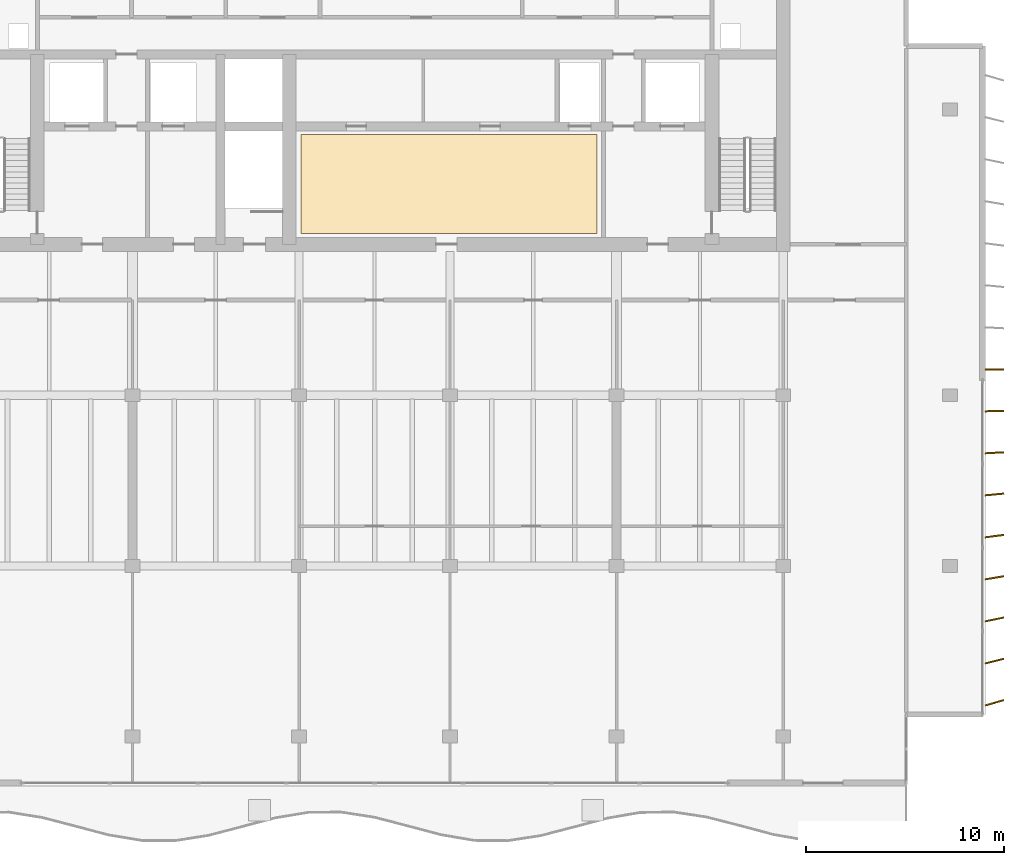
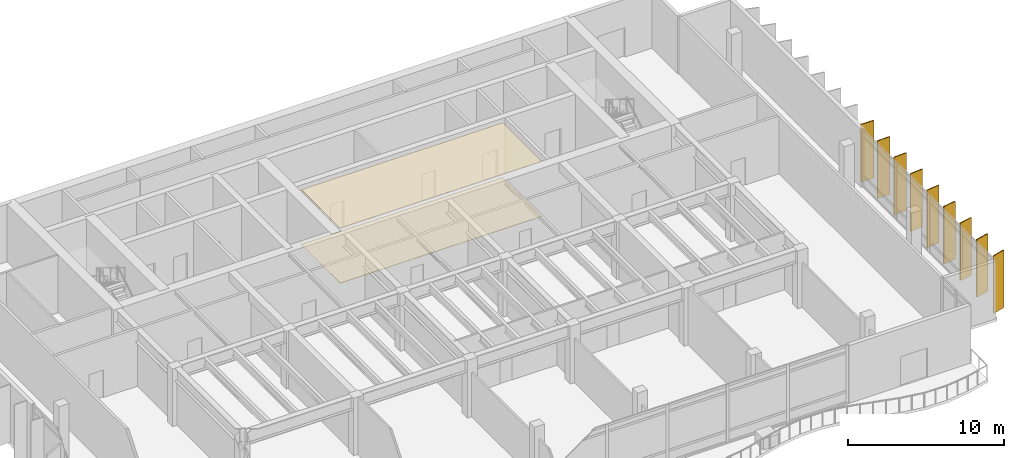
# One storey, part 11 of 14: 9 shading devices, 2 coverings.
"""IFC4 building model written with IfcOpenShell, lengths in metres."""

import ifcopenshell
import ifcopenshell.guid

model = None  # the IFC model being written
_history = None  # IfcOwnerHistory: only IFC2X3 demands one
_inside = {}  # id of a spatial element -> (the spatial element, [elements in it])
_under = {}  # id of a project, library or spatial element -> (it, [spatial elements below it])
_declared = {}  # id of a project -> (the project, [libraries it declares])
_typed = {}  # id of a type object -> (the type object, [elements of that type])
_made_of = {}  # id of a material, layer set ... -> (it, [elements and type objects made of it])


def new_model(schema):
    """Start an empty IFC model of exactly this schema.

    Asked for "IFC4X3", IfcOpenShell would pick the latest addendum, in which some entities
    have other attributes; the version numbers below select the first issue.
    IFC2X3 requires an IfcOwnerHistory on every rooted entity: one is made here for all.
    """
    global model, _history
    if schema == "IFC4X3":
        model = ifcopenshell.file(schema_version=(4, 3, 0, 0))
    else:
        model = ifcopenshell.file(schema=schema)
    _inside.clear()
    _under.clear()
    _declared.clear()
    _typed.clear()
    _made_of.clear()
    _history = None
    if model.schema == "IFC2X3":
        org = make("IfcOrganization", Name="unknown")
        user = make(
            "IfcPersonAndOrganization",
            ThePerson=make("IfcPerson", FamilyName="unknown"),
            TheOrganization=org,
        )
        app = make(
            "IfcApplication",
            ApplicationDeveloper=org,
            Version="unknown",
            ApplicationFullName="unknown",
            ApplicationIdentifier="unknown",
        )
        _history = make(
            "IfcOwnerHistory",
            OwningUser=user,
            OwningApplication=app,
            ChangeAction="ADDED",
            CreationDate=0,
        )
    return model


def make(cls, **values):
    """One entity of the class cls with the attributes given. An attribute that is None is left unset."""
    return model.create_entity(
        cls, **{name: value for name, value in values.items() if value is not None}
    )


def rooted(cls, **values):
    """An entity with a GlobalId (a new one), such as an element, a storey or a relation."""
    return make(cls, GlobalId=ifcopenshell.guid.new(), OwnerHistory=_history, **values)


def si_unit(unit_type, name, prefix=None):
    """IfcSIUnit, for example si_unit("LENGTHUNIT", "METRE", prefix="MILLI")."""
    return make("IfcSIUnit", UnitType=unit_type, Prefix=prefix, Name=name)


def assignment(units):
    """IfcUnitAssignment: the units of a project."""
    return None if units is None else make("IfcUnitAssignment", Units=units)


def point(xyz):
    """IfcCartesianPoint."""
    return None if xyz is None else make("IfcCartesianPoint", Coordinates=xyz)


def direction(xyz):
    """IfcDirection."""
    return None if xyz is None else make("IfcDirection", DirectionRatios=xyz)


def frame(location, z_axis=None, x_axis=None):
    """IfcAxis2Placement3D, a coordinate frame: its origin and axes. An axis left out is left unset."""
    return make(
        "IfcAxis2Placement3D",
        Location=point(location),
        Axis=direction(z_axis),
        RefDirection=direction(x_axis),
    )


def frame_2d(location, x_axis=None):
    """IfcAxis2Placement2D, a coordinate frame in the plane: its origin and x axis."""
    return make(
        "IfcAxis2Placement2D", Location=point(location), RefDirection=direction(x_axis)
    )


def origin():
    """The frame at (0, 0, 0) with its axes left unset."""
    return frame((0.0, 0.0, 0.0))


def origin_2d():
    """The frame at (0, 0) in the plane with its x axis left unset."""
    return frame_2d((0.0, 0.0))


def place(relative_to, where):
    """IfcLocalPlacement: puts the frame where relative to a parent placement (None: the world)."""
    return make(
        "IfcLocalPlacement", PlacementRelTo=relative_to, RelativePlacement=where
    )


def context(
    kind, dimensions, precision=None, world=None, true_north=None, identifier=None
):
    """IfcGeometricRepresentationContext, for example the 3D "Model" context."""
    return make(
        "IfcGeometricRepresentationContext",
        ContextIdentifier=identifier,
        ContextType=kind,
        CoordinateSpaceDimension=dimensions,
        Precision=precision,
        WorldCoordinateSystem=world,
        TrueNorth=true_north,
    )


def subcontext(parent, identifier, kind, view, scale=None):
    """IfcGeometricRepresentationSubContext, for example "Body" below "Model"."""
    return make(
        "IfcGeometricRepresentationSubContext",
        ContextIdentifier=identifier,
        ContextType=kind,
        ParentContext=parent,
        TargetScale=scale,
        TargetView=view,
    )


def project(units=None, contexts=None):
    """IfcProject with its units and contexts."""
    return rooted(
        "IfcProject",
        Name="project",
        RepresentationContexts=contexts,
        UnitsInContext=assignment(units),
    )


def spatial(cls, under=None, at=None, **own):
    """A site, building, storey or space (cls), placed at a placement, below another one or the project."""
    s = rooted(cls, ObjectPlacement=at, **own)
    if under is not None:
        _under.setdefault(under.id(), (under, []))[1].append(s)
    return s


def polyline(points):
    """IfcPolyline through the points."""
    return make("IfcPolyline", Points=[point(p) for p in points])


def profile(cls, at=None, kind="AREA", **sizes):
    """A parametric profile (cls). Its sizes go by their IFC names, for example OverallWidth=200.0."""
    return make(cls, ProfileType=kind, Position=at, **sizes)


def rectangle(**sizes):
    """IfcRectangleProfileDef."""
    return profile("IfcRectangleProfileDef", **sizes)


def outline(outer, holes=None, kind="AREA"):
    """IfcArbitraryClosedProfileDef: a profile drawn as a closed curve; with holes, ...WithVoids."""
    if holes is None:
        return make("IfcArbitraryClosedProfileDef", ProfileType=kind, OuterCurve=outer)
    return make(
        "IfcArbitraryProfileDefWithVoids",
        ProfileType=kind,
        OuterCurve=outer,
        InnerCurves=holes,
    )


def extrude(swept, where, along, depth):
    """IfcExtrudedAreaSolid: the profile swept, set in the frame where, extruded along a direction by depth."""
    return make(
        "IfcExtrudedAreaSolid",
        SweptArea=swept,
        Position=where,
        ExtrudedDirection=direction(along),
        Depth=depth,
    )


def shape(context_of_items, identifier, shape_type, items):
    """IfcShapeRepresentation: the items that make up one representation, for example the "Body"."""
    return make(
        "IfcShapeRepresentation",
        ContextOfItems=context_of_items,
        RepresentationIdentifier=identifier,
        RepresentationType=shape_type,
        Items=items,
    )


def material(Name=None, Category=None):
    """IfcMaterial."""
    return make("IfcMaterial", Name=Name, Category=Category)


def layer(
    of_material, thickness, ventilated=None, Name=None, Category=None, Priority=None
):
    """IfcMaterialLayer: one layer of a wall or slab, of a material (None: an air gap)."""
    return make(
        "IfcMaterialLayer",
        Material=of_material,
        LayerThickness=thickness,
        IsVentilated=ventilated,
        Name=Name,
        Category=Category,
        Priority=Priority,
    )


def layer_set(layers, Name=None):
    """IfcMaterialLayerSet."""
    return make("IfcMaterialLayerSet", MaterialLayers=layers, LayerSetName=Name)


def material_profile(
    of_material, cross_section, Name=None, Category=None, Priority=None
):
    """IfcMaterialProfile: a cross section and its material."""
    return make(
        "IfcMaterialProfile",
        Name=Name,
        Material=of_material,
        Profile=cross_section,
        Priority=Priority,
        Category=Category,
    )


def profile_set(profiles, Name=None, composite=None):
    """IfcMaterialProfileSet."""
    return make(
        "IfcMaterialProfileSet",
        Name=Name,
        MaterialProfiles=profiles,
        CompositeProfile=composite,
    )


def made_of(thing, what):
    """Note that an element or type object is made of a material, layer set ...; save() writes the relation."""
    if what is not None:
        _made_of.setdefault(what.id(), (what, []))[1].append(thing)
    return thing


def type_object(cls, material=None, **own):
    """A type object (cls), such as IfcWallType, which elements share."""
    return made_of(rooted(cls, **own), material)


def element(
    cls,
    number,
    at=None,
    inside=None,
    cuts=None,
    type_object=None,
    material=None,
    context=None,
    identifier="Body",
    shape_type=None,
    held_by="IfcProductDefinitionShape",
    body=None,
    shapes=None,
    **own,
):
    """One element of the class cls, such as IfcWall. Its Tag is "e" and its number.

    at: its placement. inside: the storey or other place that contains it. cuts: it is an
    opening in that element (IfcRelVoidsElement). A single representation is given by context,
    identifier, shape_type and body (its items); several are given by shapes. held_by: the class
    of the entity that holds the representations. save() writes the other relations.
    """
    e = rooted(cls, Tag="e%d" % number, ObjectPlacement=at, **own)
    if body is not None:
        shapes = [shape(context, identifier, shape_type, body)]
    if shapes is not None:
        e.Representation = make(held_by, Representations=shapes)
    if inside is not None:
        _inside.setdefault(inside.id(), (inside, []))[1].append(e)
    if cuts is not None:
        rooted(
            "IfcRelVoidsElement", RelatingBuildingElement=cuts, RelatedOpeningElement=e
        )
    if type_object is not None:
        _typed.setdefault(type_object.id(), (type_object, []))[1].append(e)
    return made_of(e, material)


def aggregate(whole, parts):
    """IfcRelAggregates: a whole, such as a stair, and the parts it consists of."""
    return rooted("IfcRelAggregates", RelatingObject=whole, RelatedObjects=parts)


def save(model, path):
    """Write the relations noted so far, then the file.

    IfcRelAggregates (storeys below a building ...), IfcRelContainedInSpatialStructure (elements
    in a storey), IfcRelDefinesByType, IfcRelAssociatesMaterial and IfcRelDeclares: one each for
    every whole, place, type object, material and project.
    """
    for whole, parts in _under.values():
        aggregate(whole, parts)
    for where, things in _inside.values():
        rooted(
            "IfcRelContainedInSpatialStructure",
            RelatedElements=things,
            RelatingStructure=where,
        )
    for kind, things in _typed.values():
        rooted("IfcRelDefinesByType", RelatedObjects=things, RelatingType=kind)
    for what, things in _made_of.values():
        rooted("IfcRelAssociatesMaterial", RelatedObjects=things, RelatingMaterial=what)
    for by, libraries in _declared.values():
        rooted("IfcRelDeclares", RelatingContext=by, RelatedDefinitions=libraries)
    model.write(path)


model = new_model("IFC4")

# Units and contexts
model_context = context("Model", 3, precision=1e-05, world=origin(), true_north=direction((0.0, 1.0)))
body_context = subcontext(model_context, "Body", "Model", "MODEL_VIEW")
ifc_project = project(units=[si_unit("LENGTHUNIT", "METRE"), si_unit("AREAUNIT", "SQUARE_METRE"), si_unit("VOLUMEUNIT", "CUBIC_METRE"), si_unit("PLANEANGLEUNIT", "RADIAN"), si_unit("MASSUNIT", "GRAM", prefix="KILO")], contexts=[model_context])

# Site, building, storey
site_placement = place(None, origin())
site = spatial("IfcSite", under=ifc_project, at=site_placement, CompositionType="ELEMENT")
building_placement = place(site_placement, origin())
building = spatial("IfcBuilding", under=site, at=building_placement, Name="Caelmar Bay Residences", CompositionType="ELEMENT")
storey_placement = place(building_placement, frame((0.0, 0.0, 269.39990234375)))
storey = spatial("IfcBuildingStorey", under=building, at=storey_placement, Name="L76", CompositionType="ELEMENT", Elevation=269.39990234375)

# Coverings
ifc_material_1 = material(Name="Perforated acoustic gypsum-mineral ceiling tile 20 mm")
ifc_layer_1 = layer(ifc_material_1, 0.02001953125)
ifc_layer_set_1 = layer_set([ifc_layer_1], Name="Perforated acoustic gypsum-mineral ceiling tile 20 mm")
covering_type_1 = type_object("IfcCoveringType", Name="COV-CEIL-20", PredefinedType="CEILING", material=ifc_layer_set_1)
covering_1_placement = place(storey_placement, frame((0.0, 0.0, 4.280029296875)))
element("IfcCovering", 1, at=covering_1_placement, inside=storey, type_object=covering_type_1, Name="L76 Lift Lobby Acoustic Ceiling", PredefinedType="CEILING", context=body_context, shape_type="SweptSolid", body=[
    extrude(outline(polyline([(35.199951171875, 37.550048828125), (50.10009765625, 37.550048828125), (50.10009765625, 42.550048828125), (35.199951171875, 42.550048828125), (35.199951171875, 37.550048828125)])), origin(), (0.0, 0.0, 1.0), 0.02001953125),
])
ifc_material_2 = material(Name="Honed terrazzo and engineered white-oak flooring 20 mm")
ifc_layer_2 = layer(ifc_material_2, 0.02001953125)
ifc_layer_set_2 = layer_set([ifc_layer_2], Name="Honed terrazzo and engineered white-oak flooring 20 mm")
covering_type_2 = type_object("IfcCoveringType", Name="COV-FLR-20", PredefinedType="FLOORING", material=ifc_layer_set_2)
covering_2_placement = place(storey_placement, origin())
element("IfcCovering", 2, at=covering_2_placement, inside=storey, type_object=covering_type_2, Name="L76 Lift Lobby Terrazzo Flooring", PredefinedType="FLOORING", context=body_context, shape_type="SweptSolid", body=[
    extrude(outline(polyline([(35.199951171875, 37.550048828125), (50.10009765625, 37.550048828125), (50.10009765625, 42.550048828125), (35.199951171875, 42.550048828125), (35.199951171875, 37.550048828125)])), origin(), (0.0, 0.0, 1.0), 0.02001953125),
])

# Shading devices
ifc_material_3 = material(Name="Anodised architectural bronze aluminium 6063-T6", Category="aluminium")
ifc_material_profile = material_profile(ifc_material_3, rectangle(XDim=0.074951171875, YDim=0.949951171875, at=origin_2d()), Name="BRONZE-FIN-75X950")
ifc_profile_set = profile_set([ifc_material_profile], Name="Anodised architectural bronze aluminium 6063-T6")
shading_device_type = type_object("IfcShadingDeviceType", Name="SHD-FIN-950", PredefinedType="USERDEFINED", material=ifc_profile_set)
for number, where, z_axis, x_axis, name in (
    (3, (70.14990234375, 13.89990234375, 0.0), (0.0, 0.0, 1.0), (-0.275637355817, 0.961261695938, 0.0), "L76 East Bronze Solar Fin 1"),
    (4, (70.14990234375, 16.0, 0.0), (0.0, 0.0, 1.0), (-0.239719743609, 0.970842131618, 0.0), "L76 East Bronze Solar Fin 2"),
    (5, (70.14990234375, 18.10009765625, 0.0), (0.0, 0.0, 1.0), (-0.2032999874, 0.979116497217, 0.0), "L76 East Bronze Solar Fin 3"),
    (6, (70.14990234375, 20.199951171875, 0.0), (0.0, 0.0, 1.0), (-0.166768746716, 0.985996037071, 0.0), "L76 East Bronze Solar Fin 4"),
    (7, (70.14990234375, 22.300048828125, 0.0), (0.0, 0.0, 1.0), (-0.130007055036, 0.99151306882, 0.0), "L76 East Bronze Solar Fin 5"),
    (8, (70.14990234375, 24.39990234375, 0.0), (0.0, 0.0, 1.0), (-0.092891934994, 0.995676196569, 0.0), "L76 East Bronze Solar Fin 6"),
    (9, (70.14990234375, 26.5, 0.0), (0.0, 0.0, 1.0), (-0.055821504993, 0.998440764182, 0.0), "L76 East Bronze Solar Fin 7"),
    (10, (70.14990234375, 28.60009765625, 0.0), (0.0, 0.0, 1.0), (-0.018673937509, 0.999825626826, 0.0), "L76 East Bronze Solar Fin 8"),
    (11, (70.14990234375, 30.699951171875, 0.0), (0.0, 0.0, 1.0), (0.018673937509, 0.999825626826, 0.0), "L76 East Bronze Solar Fin 9"),
):
    element("IfcShadingDevice", number, at=place(storey_placement, frame(where, z_axis=z_axis, x_axis=x_axis)), inside=storey, type_object=shading_device_type, Name=name, ObjectType="FIN", PredefinedType="USERDEFINED", context=body_context, shape_type="SweptSolid", body=[
        extrude(rectangle(XDim=0.074951171875, YDim=0.949951171875, at=origin_2d()), origin(), (0.0, 0.0, 1.0), 4.5),
    ])

save(model, "model.ifc")
